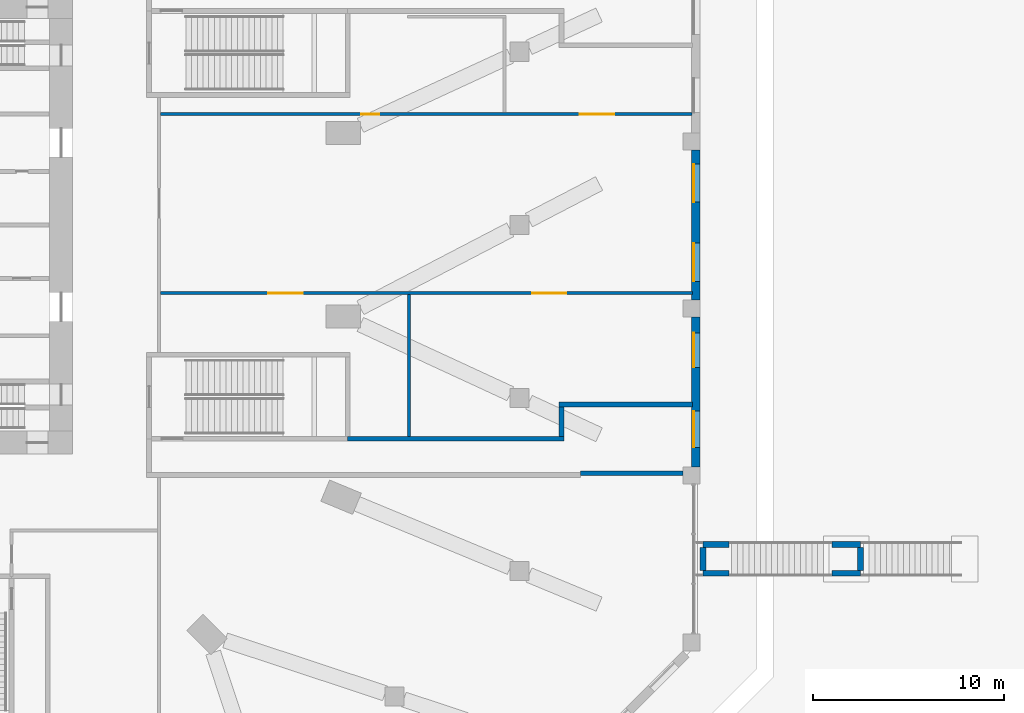
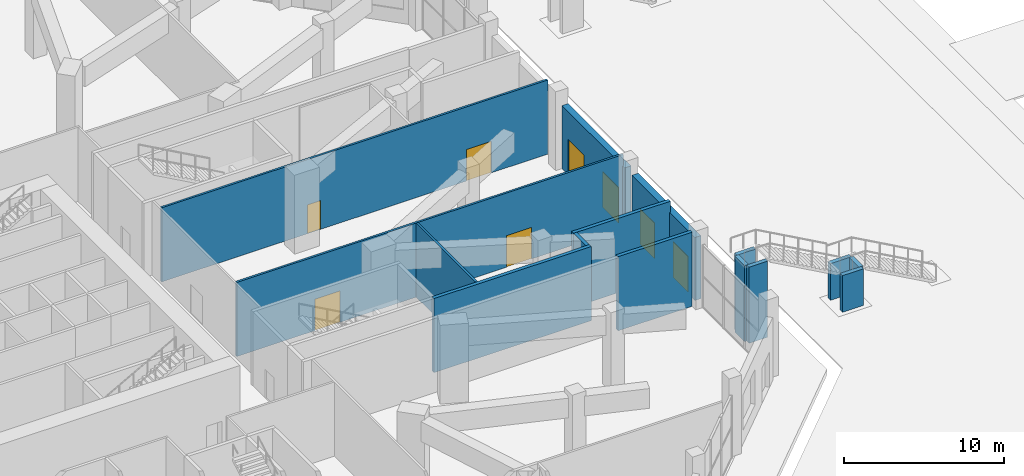
# One storey, part 25 of 36: 15 walls, 8 doors, 8 openings.
"""IFC4 building model written with IfcOpenShell, lengths in metres."""

from ifc_helpers import new_model, si_unit, direction, frame, frame_2d, origin, place, context, subcontext, project, spatial, rectangle, extrude, material, layer, layer_set, type_object, element, fill, save


model = new_model("IFC4")

# Units and contexts
model_context = context("Model", 3, precision=1e-05, world=origin(), true_north=direction((0.0, 1.0)))
body_context = subcontext(model_context, "Body", "Model", "MODEL_VIEW")
ifc_project = project(units=[si_unit("LENGTHUNIT", "METRE"), si_unit("AREAUNIT", "SQUARE_METRE"), si_unit("VOLUMEUNIT", "CUBIC_METRE"), si_unit("PLANEANGLEUNIT", "RADIAN"), si_unit("MASSUNIT", "GRAM", prefix="KILO")], contexts=[model_context])

# Site, building, storey
site_placement = place(None, origin())
site = spatial("IfcSite", under=ifc_project, at=site_placement, CompositionType="ELEMENT")
building_placement = place(site_placement, origin())
building = spatial("IfcBuilding", under=site, at=building_placement, Name="Msitu Wima Residences", CompositionType="ELEMENT")
storey_placement = place(building_placement, origin())
storey = spatial("IfcBuildingStorey", under=building, at=storey_placement, Name="L00", CompositionType="ELEMENT", Elevation=0.0)

# Wall, openings, doors
ifc_material_1 = material(Name="Brick (red buff mix), cavity wall of two leaves", Category="masonry")
ifc_layer_1 = layer(ifc_material_1, 0.449951171875)
ifc_layer_set_1 = layer_set([ifc_layer_1], Name="Brick (red buff mix), cavity wall of two leaves")
wall_type_1 = type_object("IfcWallType", Name="Brick infill wall BW450 podium", PredefinedType="ELEMENTEDWALL", material=ifc_layer_set_1)
wall_1_placement = place(storey_placement, frame((47.02490234375, -12.66357421875, 0.0), z_axis=(0.0, 0.0, 1.0), x_axis=(0.0, 1.0, 0.0)))
wall_1 = element("IfcWall", 1, at=wall_1_placement, inside=storey, type_object=wall_type_1, Name="Brick infill wall L00 E1", PredefinedType="ELEMENTEDWALL", context=body_context, shape_type="SweptSolid", body=[
    extrude(rectangle(XDim=7.84228515625, YDim=0.449951171875, at=frame_2d((3.921142578125, 0.0))), origin(), (0.0, 0.0, 1.0), 4.800048828125),
])
opening_1_placement = place(wall_1_placement, frame((1.010498046875, 0.0, 0.0)))
opening_1 = element("IfcOpeningElement", 2, at=opening_1_placement, cuts=wall_1, Name="Opening D00.001", PredefinedType="OPENING", context=body_context, shape_type="SweptSolid", body=[
    extrude(rectangle(XDim=1.89990234375, YDim=2.699951171875, at=frame_2d((0.949951171875, 1.35009765625))), frame((0.0, 0.23486328125, 0.0), z_axis=(0.0, -1.0, 0.0), x_axis=(1.0, 0.0, 0.0)), (0.0, 0.0, 1.0), 0.469970703125),
])
opening_2_placement = place(wall_1_placement, frame((5.206787109375, 0.0, 0.0)))
opening_2 = element("IfcOpeningElement", 3, at=opening_2_placement, cuts=wall_1, Name="Opening D00.002", PredefinedType="OPENING", context=body_context, shape_type="SweptSolid", body=[
    extrude(rectangle(XDim=1.800048828125, YDim=2.699951171875, at=frame_2d((0.89990234375, 1.35009765625))), frame((0.0, 0.23486328125, 0.0), z_axis=(0.0, -1.0, 0.0), x_axis=(1.0, 0.0, 0.0)), (0.0, 0.0, 1.0), 0.469970703125),
])
ifc_material_2 = material(Name="Anodised aluminium, bronze finish, clear laminated glazing", Category="aluminium")
door_type_1 = type_object("IfcDoorType", Name="Exit door D1900x2700", OperationType="DOUBLE_DOOR_SINGLE_SWING", PredefinedType="DOOR", material=ifc_material_2)
door_1_placement = place(opening_1_placement, frame((1.89990234375, 0.0, 0.0), z_axis=(0.0, 0.0, 1.0), x_axis=(-1.0, 0.0, 0.0)))
door_1 = element("IfcDoor", 4, at=door_1_placement, inside=storey, type_object=door_type_1, Name="Exit door L00 E1", OperationType="DOUBLE_DOOR_SINGLE_SWING", OverallHeight=2.699951171875, OverallWidth=1.89990234375, PredefinedType="DOOR", context=body_context, shape_type="SweptSolid", body=[
    extrude(rectangle(XDim=1.89990234375, YDim=2.699951171875, at=frame_2d((0.949951171875, 1.35009765625))), frame((0.0, -0.079833984375, 0.0), z_axis=(0.0, -1.0, 0.0), x_axis=(1.0, 0.0, 0.0)), (0.0, 0.0, 1.0), 0.050048828125),
])
fill(opening_1, door_1)
door_type_2 = type_object("IfcDoorType", Name="Shopfront door D1800x2700", OperationType="DOUBLE_DOOR_SINGLE_SWING", PredefinedType="DOOR", material=ifc_material_2)
door_2_placement = place(opening_2_placement, frame((1.800048828125, 0.0, 0.0), z_axis=(0.0, 0.0, 1.0), x_axis=(-1.0, 0.0, 0.0)))
door_2 = element("IfcDoor", 5, at=door_2_placement, inside=storey, type_object=door_type_2, Name="Shopfront door L00 E1", OperationType="DOUBLE_DOOR_SINGLE_SWING", OverallHeight=2.699951171875, OverallWidth=1.800048828125, PredefinedType="DOOR", context=body_context, shape_type="SweptSolid", body=[
    extrude(rectangle(XDim=1.800048828125, YDim=2.699951171875, at=frame_2d((0.900146484375, 1.35009765625))), frame((0.0, -0.079833984375, 0.0), z_axis=(0.0, -1.0, 0.0), x_axis=(1.0, 0.0, 0.0)), (0.0, 0.0, 1.0), 0.050048828125),
])
fill(opening_2, door_2)

wall_2_placement = place(storey_placement, frame((47.02490234375, -3.921142578125, 0.0), z_axis=(0.0, 0.0, 1.0), x_axis=(0.0, 1.0, 0.0)))
wall_2 = element("IfcWall", 6, at=wall_2_placement, inside=storey, type_object=wall_type_1, Name="Brick infill wall L00 E2", PredefinedType="ELEMENTEDWALL", context=body_context, shape_type="SweptSolid", body=[
    extrude(rectangle(XDim=7.84228515625, YDim=0.449951171875, at=frame_2d((3.921142578125, 0.0))), origin(), (0.0, 0.0, 1.0), 4.800048828125),
])
opening_3_placement = place(wall_2_placement, frame((0.960693359375, 0.0, 0.0)))
opening_3 = element("IfcOpeningElement", 7, at=opening_3_placement, cuts=wall_2, Name="Opening D00.003", PredefinedType="OPENING", context=body_context, shape_type="SweptSolid", body=[
    extrude(rectangle(XDim=2.0, YDim=2.699951171875, at=frame_2d((1.0, 1.35009765625))), frame((0.0, 0.23486328125, 0.0), z_axis=(0.0, -1.0, 0.0), x_axis=(1.0, 0.0, 0.0)), (0.0, 0.0, 1.0), 0.469970703125),
])
opening_4_placement = place(wall_2_placement, frame((5.106689453125, 0.0, 0.0)))
opening_4 = element("IfcOpeningElement", 8, at=opening_4_placement, cuts=wall_2, Name="Opening D00.004", PredefinedType="OPENING", context=body_context, shape_type="SweptSolid", body=[
    extrude(rectangle(XDim=2.0, YDim=2.699951171875, at=frame_2d((1.0, 1.35009765625))), frame((0.0, 0.23486328125, 0.0), z_axis=(0.0, -1.0, 0.0), x_axis=(1.0, 0.0, 0.0)), (0.0, 0.0, 1.0), 0.469970703125),
])
ifc_material_3 = material(Name="Anodised aluminium, bronze finish, clear low-emissivity double glazing", Category="aluminium")
door_type_3 = type_object("IfcDoorType", Name="Entrance door D2000x2700", OperationType="DOUBLE_DOOR_SINGLE_SWING", PredefinedType="DOOR", material=ifc_material_3)
door_3_placement = place(opening_3_placement, frame((2.0, 0.0, 0.0), z_axis=(0.0, 0.0, 1.0), x_axis=(-1.0, 0.0, 0.0)))
door_3 = element("IfcDoor", 9, at=door_3_placement, inside=storey, type_object=door_type_3, Name="Entrance door L00 E2", OperationType="DOUBLE_DOOR_SINGLE_SWING", OverallHeight=2.699951171875, OverallWidth=2.0, PredefinedType="DOOR", context=body_context, shape_type="SweptSolid", body=[
    extrude(rectangle(XDim=2.0, YDim=2.699951171875, at=frame_2d((1.0, 1.35009765625))), frame((0.0, -0.079833984375, 0.0), z_axis=(0.0, -1.0, 0.0), x_axis=(1.0, 0.0, 0.0)), (0.0, 0.0, 1.0), 0.050048828125),
])
fill(opening_3, door_3)
door_4_placement = place(opening_4_placement, frame((2.0, 0.0, 0.0), z_axis=(0.0, 0.0, 1.0), x_axis=(-1.0, 0.0, 0.0)))
door_4 = element("IfcDoor", 10, at=door_4_placement, inside=storey, type_object=door_type_3, Name="Entrance door L00 E2", OperationType="DOUBLE_DOOR_SINGLE_SWING", OverallHeight=2.699951171875, OverallWidth=2.0, PredefinedType="DOOR", context=body_context, shape_type="SweptSolid", body=[
    extrude(rectangle(XDim=2.0, YDim=2.699951171875, at=frame_2d((1.0, 1.35009765625))), frame((0.0, -0.079833984375, 0.0), z_axis=(0.0, -1.0, 0.0), x_axis=(1.0, 0.0, 0.0)), (0.0, 0.0, 1.0), 0.050048828125),
])
fill(opening_4, door_4)

# Walls
ifc_material_4 = material(Name="Facing brick")
ifc_layer_2 = layer(ifc_material_4, 0.06494140625, Name="Facing brick")
ifc_material_5 = material(Name="Concrete C40/50", Category="concrete")
ifc_layer_3 = layer(ifc_material_5, 0.235107421875, Name="Concrete C40/50")
ifc_layer_set_2 = layer_set([ifc_layer_2, ifc_layer_3], Name="Concrete C40/50")
wall_type_2 = type_object("IfcWallType", Name="Garden stair support wall SW300", PredefinedType="SOLIDWALL", material=ifc_layer_set_2)
for number, where, z_axis, x_axis, name in (
    (11, (47.39990234375, -18.234619140625, 0.0), (0.0, 0.0, 1.0), (1.0, 0.0, 0.0), "Garden stair 2 support wall"),
    (12, (47.39990234375, -16.734619140625, 0.0), (0.0, 0.0, 1.0), (1.0, 0.0, 0.0), "Garden stair 2 support wall"),
):
    element("IfcWall", number, at=place(storey_placement, frame(where, z_axis=z_axis, x_axis=x_axis)), inside=storey, type_object=wall_type_2, Name=name, PredefinedType="SOLIDWALL", context=body_context, shape_type="SweptSolid", body=[
        extrude(rectangle(XDim=1.35009765625, YDim=0.300048828125, at=frame_2d((0.675048828125, 0.0))), origin(), (0.0, 0.0, 1.0), 5.800048828125),
    ])
wall_3_placement = place(storey_placement, frame((47.39990234375, -18.084716796875, 0.0), z_axis=(0.0, 0.0, 1.0), x_axis=(0.0, 1.0, 0.0)))
element("IfcWall", 13, at=wall_3_placement, inside=storey, type_object=wall_type_2, Name="Garden stair 2 support wall", PredefinedType="SOLIDWALL", context=body_context, shape_type="SweptSolid", body=[
    extrude(rectangle(XDim=1.199951171875, YDim=0.300048828125, at=frame_2d((0.60009765625, 0.0))), origin(), (0.0, 0.0, 1.0), 5.800048828125),
])
for number, where, z_axis, x_axis, name in (
    (14, (54.14990234375, -18.234619140625, 0.0), (0.0, 0.0, 1.0), (1.0, 0.0, 0.0), "Garden stair 2 support wall"),
    (15, (54.14990234375, -16.734619140625, 0.0), (0.0, 0.0, 1.0), (1.0, 0.0, 0.0), "Garden stair 2 support wall"),
):
    element("IfcWall", number, at=place(storey_placement, frame(where, z_axis=z_axis, x_axis=x_axis)), inside=storey, type_object=wall_type_2, Name=name, PredefinedType="SOLIDWALL", context=body_context, shape_type="SweptSolid", body=[
        extrude(rectangle(XDim=1.5, YDim=0.300048828125, at=frame_2d((0.75, 0.0))), origin(), (0.0, 0.0, 1.0), 2.800048828125),
    ])
wall_4_placement = place(storey_placement, frame((55.64990234375, -18.084716796875, 0.0), z_axis=(0.0, 0.0, 1.0), x_axis=(0.0, 1.0, 0.0)))
element("IfcWall", 16, at=wall_4_placement, inside=storey, type_object=wall_type_2, Name="Garden stair 2 support wall", PredefinedType="SOLIDWALL", context=body_context, shape_type="SweptSolid", body=[
    extrude(rectangle(XDim=1.199951171875, YDim=0.300048828125, at=frame_2d((0.60009765625, 0.0))), origin(), (0.0, 0.0, 1.0), 2.800048828125),
])

# Wall, openings, doors
ifc_material_6 = material(Name="Plaster")
ifc_layer_4 = layer(ifc_material_6, 0.011962890625, Name="Plaster")
ifc_material_7 = material(Name="Concrete blockwork", Category="masonry")
ifc_layer_5 = layer(ifc_material_7, 0.1259765625, Name="Concrete blockwork")
ifc_layer_6 = layer(ifc_material_6, 0.011962890625, Name="Plaster")
ifc_layer_set_3 = layer_set([ifc_layer_4, ifc_layer_5, ifc_layer_6], Name="Concrete blockwork")
wall_type_3 = type_object("IfcWallType", Name="Partition PW150", PredefinedType="PARTITIONING", material=ifc_layer_set_3)
wall_5_placement = place(storey_placement, frame((19.0029296875, -3.5712890625, 0.0), z_axis=(0.0, 0.0, 1.0), x_axis=(1.0, 0.0, 0.0)))
wall_5 = element("IfcWall", 17, at=wall_5_placement, inside=storey, type_object=wall_type_3, Name="Partition", PredefinedType="PARTITIONING", context=body_context, shape_type="SweptSolid", body=[
    extrude(rectangle(XDim=27.85205078125, YDim=0.14990234375, at=frame_2d((13.926025390625, 0.0))), origin(), (0.0, 0.0, 1.0), 5.64990234375),
])
opening_5_placement = place(wall_5_placement, frame((5.64990234375, 0.0, 0.0)))
opening_5 = element("IfcOpeningElement", 18, at=opening_5_placement, cuts=wall_5, Name="Opening D00.054", PredefinedType="OPENING", context=body_context, shape_type="SweptSolid", body=[
    extrude(rectangle(XDim=1.800048828125, YDim=2.39990234375, at=frame_2d((0.89990234375, 1.199951171875))), frame((0.0, 0.0849609375, 0.0), z_axis=(0.0, -1.0, 0.0), x_axis=(1.0, 0.0, 0.0)), (0.0, 0.0, 1.0), 0.169921875),
])
opening_6_placement = place(wall_5_placement, frame((19.449951171875, 0.0, 0.0)))
opening_6 = element("IfcOpeningElement", 19, at=opening_6_placement, cuts=wall_5, Name="Opening D00.055", PredefinedType="OPENING", context=body_context, shape_type="SweptSolid", body=[
    extrude(rectangle(XDim=1.800048828125, YDim=2.39990234375, at=frame_2d((0.89990234375, 1.199951171875))), frame((0.0, 0.0849609375, 0.0), z_axis=(0.0, -1.0, 0.0), x_axis=(1.0, 0.0, 0.0)), (0.0, 0.0, 1.0), 0.169921875),
])
ifc_material_8 = material(Name="Glazed aluminium door", Category="aluminium")
door_type_4 = type_object("IfcDoorType", Name="Shopfront door D11 1800x2400", OperationType="DOUBLE_DOOR_SINGLE_SWING", PredefinedType="DOOR", material=ifc_material_8)
door_5_placement = place(opening_5_placement, origin())
door_5 = element("IfcDoor", 20, at=door_5_placement, inside=storey, type_object=door_type_4, Name="Shopfront door", OperationType="DOUBLE_DOOR_SINGLE_SWING", OverallHeight=2.39990234375, OverallWidth=1.800048828125, PredefinedType="DOOR", context=body_context, shape_type="SweptSolid", body=[
    extrude(rectangle(XDim=1.800048828125, YDim=2.39990234375, at=frame_2d((0.89990234375, 1.199951171875))), frame((0.0, 0.02490234375, 0.0), z_axis=(0.0, -1.0, 0.0), x_axis=(1.0, 0.0, 0.0)), (0.0, 0.0, 1.0), 0.050048828125),
])
fill(opening_5, door_5)
door_6_placement = place(opening_6_placement, origin())
door_6 = element("IfcDoor", 21, at=door_6_placement, inside=storey, type_object=door_type_4, Name="Shopfront door", OperationType="DOUBLE_DOOR_SINGLE_SWING", OverallHeight=2.39990234375, OverallWidth=1.800048828125, PredefinedType="DOOR", context=body_context, shape_type="SweptSolid", body=[
    extrude(rectangle(XDim=1.800048828125, YDim=2.39990234375, at=frame_2d((0.89990234375, 1.199951171875))), frame((0.0, 0.02490234375, 0.0), z_axis=(0.0, -1.0, 0.0), x_axis=(1.0, 0.0, 0.0)), (0.0, 0.0, 1.0), 0.050048828125),
])
fill(opening_6, door_6)

wall_6_placement = place(storey_placement, frame((19.0029296875, 5.800048828125, 0.0), z_axis=(0.0, 0.0, 1.0), x_axis=(1.0, 0.0, 0.0)))
wall_6 = element("IfcWall", 22, at=wall_6_placement, inside=storey, type_object=wall_type_3, Name="Partition", PredefinedType="PARTITIONING", context=body_context, shape_type="SweptSolid", body=[
    extrude(rectangle(XDim=27.822021484375, YDim=0.14990234375, at=frame_2d((13.9111328125, 0.0))), origin(), (0.0, 0.0, 1.0), 5.64990234375),
])
opening_7_placement = place(wall_6_placement, frame((21.949951171875, 0.0, 0.0)))
opening_7 = element("IfcOpeningElement", 23, at=opening_7_placement, cuts=wall_6, Name="Opening D00.053", PredefinedType="OPENING", context=body_context, shape_type="SweptSolid", body=[
    extrude(rectangle(XDim=1.800048828125, YDim=2.39990234375, at=frame_2d((0.89990234375, 1.199951171875))), frame((0.0, 0.0849609375, 0.0), z_axis=(0.0, -1.0, 0.0), x_axis=(1.0, 0.0, 0.0)), (0.0, 0.0, 1.0), 0.169921875),
])
opening_8_placement = place(wall_6_placement, frame((10.5, 0.0, 0.0)))
opening_8 = element("IfcOpeningElement", 24, at=opening_8_placement, cuts=wall_6, Name="Opening D00.059", PredefinedType="OPENING", context=body_context, shape_type="SweptSolid", body=[
    extrude(rectangle(XDim=0.949951171875, YDim=2.199951171875, at=frame_2d((0.47509765625, 1.10009765625))), frame((0.0, 0.0849609375, 0.0), z_axis=(0.0, -1.0, 0.0), x_axis=(1.0, 0.0, 0.0)), (0.0, 0.0, 1.0), 0.169921875),
])
ifc_material_9 = material(Name="Timber flush door", Category="wood")
door_type_5 = type_object("IfcDoorType", Name="Room door D12 950x2200", OperationType="SINGLE_SWING_LEFT", PredefinedType="DOOR", material=ifc_material_9)
door_7_placement = place(opening_8_placement, origin())
door_7 = element("IfcDoor", 25, at=door_7_placement, inside=storey, type_object=door_type_5, Name="Room door", OperationType="SINGLE_SWING_LEFT", OverallHeight=2.199951171875, OverallWidth=0.949951171875, PredefinedType="DOOR", context=body_context, shape_type="SweptSolid", body=[
    extrude(rectangle(XDim=0.949951171875, YDim=2.199951171875, at=frame_2d((0.47509765625, 1.10009765625))), frame((0.0, 0.02490234375, 0.0), z_axis=(0.0, -1.0, 0.0), x_axis=(1.0, 0.0, 0.0)), (0.0, 0.0, 1.0), 0.050048828125),
])
fill(opening_8, door_7)
door_8_placement = place(opening_7_placement, origin())
door_8 = element("IfcDoor", 26, at=door_8_placement, inside=storey, type_object=door_type_4, Name="Shopfront door", OperationType="DOUBLE_DOOR_SINGLE_SWING", OverallHeight=2.39990234375, OverallWidth=1.800048828125, PredefinedType="DOOR", context=body_context, shape_type="SweptSolid", body=[
    extrude(rectangle(XDim=1.800048828125, YDim=2.39990234375, at=frame_2d((0.89990234375, 1.199951171875))), frame((0.0, 0.02490234375, 0.0), z_axis=(0.0, -1.0, 0.0), x_axis=(1.0, 0.0, 0.0)), (0.0, 0.0, 1.0), 0.050048828125),
])
fill(opening_7, door_8)

# Walls
wall_7_placement = place(storey_placement, frame((32.0, -11.074951171875, 0.0), z_axis=(0.0, 0.0, 1.0), x_axis=(0.0, 1.0, 0.0)))
element("IfcWall", 27, at=wall_7_placement, inside=storey, type_object=wall_type_3, Name="Partition", PredefinedType="PARTITIONING", context=body_context, shape_type="SweptSolid", body=[
    extrude(rectangle(XDim=7.4287109375, YDim=0.14990234375, at=frame_2d((3.71435546875, 0.0))), origin(), (0.0, 0.0, 1.0), 5.64990234375),
])
ifc_layer_7 = layer(ifc_material_6, 0.011962890625, Name="Plaster")
ifc_material_10 = material(Name="Reinforced concrete blockwork", Category="masonry")
ifc_layer_8 = layer(ifc_material_10, 0.22607421875, Name="Reinforced concrete blockwork")
ifc_layer_9 = layer(ifc_material_6, 0.011962890625, Name="Plaster")
ifc_layer_set_4 = layer_set([ifc_layer_7, ifc_layer_8, ifc_layer_9], Name="Reinforced concrete blockwork")
wall_type_4 = type_object("IfcWallType", Name="Stair enclosure wall SW250B", PredefinedType="PARTITIONING", material=ifc_layer_set_4)
wall_8_placement = place(storey_placement, frame((28.780029296875, -11.199951171875, 0.0), z_axis=(0.0, 0.0, 1.0), x_axis=(1.0, 0.0, 0.0)))
element("IfcWall", 28, at=wall_8_placement, inside=storey, type_object=wall_type_4, Name="Stair enclosure wall", PredefinedType="PARTITIONING", context=body_context, shape_type="SweptSolid", body=[
    extrude(rectangle(XDim=11.344970703125, YDim=0.25, at=frame_2d((5.67236328125, 0.0))), origin(), (0.0, 0.0, 1.0), 5.64990234375),
])
wall_9_placement = place(storey_placement, frame((40.0, -11.074951171875, 0.0), z_axis=(0.0, 0.0, 1.0), x_axis=(0.0, 1.0, 0.0)))
element("IfcWall", 29, at=wall_9_placement, inside=storey, type_object=wall_type_4, Name="Stair enclosure wall", PredefinedType="PARTITIONING", context=body_context, shape_type="SweptSolid", body=[
    extrude(rectangle(XDim=1.550048828125, YDim=0.25, at=frame_2d((0.77490234375, 0.0))), origin(), (0.0, 0.0, 1.0), 5.64990234375),
])
wall_10_placement = place(storey_placement, frame((39.875, -9.39990234375, 0.0), z_axis=(0.0, 0.0, 1.0), x_axis=(1.0, 0.0, 0.0)))
element("IfcWall", 30, at=wall_10_placement, inside=storey, type_object=wall_type_4, Name="Stair enclosure wall", PredefinedType="PARTITIONING", context=body_context, shape_type="SweptSolid", body=[
    extrude(rectangle(XDim=6.97998046875, YDim=0.25, at=frame_2d((3.489990234375, 0.0))), origin(), (0.0, 0.0, 1.0), 5.64990234375),
])
wall_11_placement = place(storey_placement, frame((41.0, -13.0, 0.0), z_axis=(0.0, 0.0, 1.0), x_axis=(1.0, 0.0, 0.0)))
element("IfcWall", 31, at=wall_11_placement, inside=storey, type_object=wall_type_4, Name="Stair enclosure wall", PredefinedType="PARTITIONING", context=body_context, shape_type="SweptSolid", body=[
    extrude(rectangle(XDim=5.35009765625, YDim=0.25, at=frame_2d((2.675048828125, 0.0))), origin(), (0.0, 0.0, 1.0), 5.64990234375),
])

save(model, "model.ifc")
